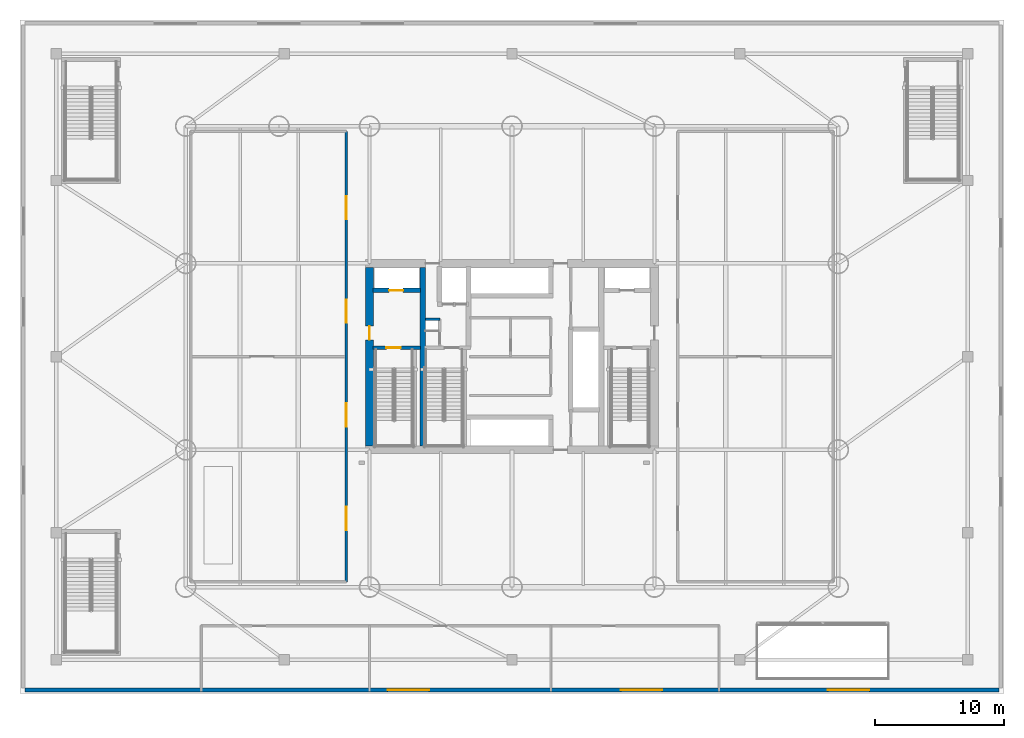
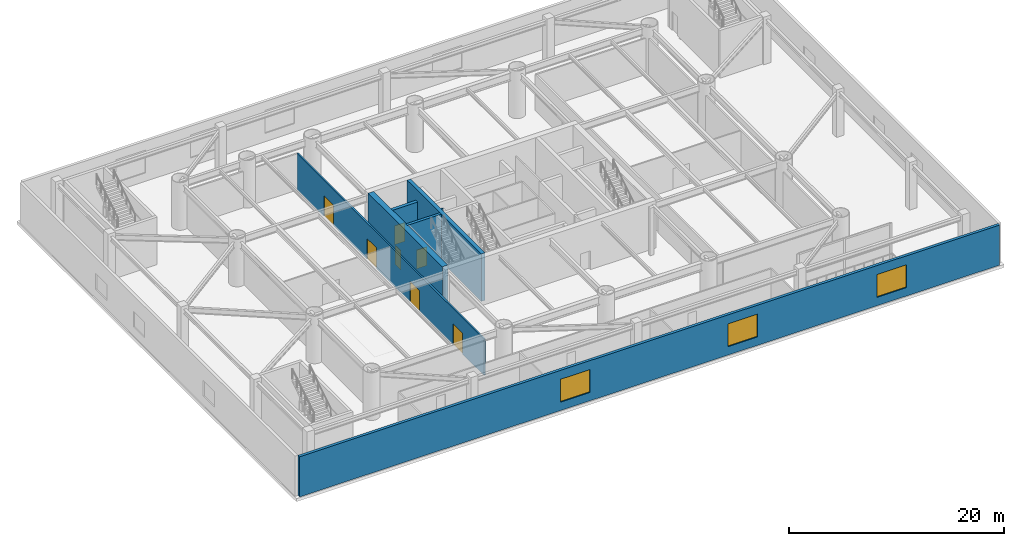
# One storey, part 6 of 16: 7 doors, 7 walls, 3 windows, 10 openings.
"""IFC4 building model written with IfcOpenShell, lengths in metres."""

from ifc_helpers import new_model, si_unit, direction, frame, frame_2d, origin, place, context, subcontext, project, spatial, rectangle, extrude, material, layer, layer_set, type_object, element, fill, save


model = new_model("IFC4")

# Units and contexts
model_context = context("Model", 3, precision=1e-05, world=origin(), true_north=direction((0.0, 1.0)))
body_context = subcontext(model_context, "Body", "Model", "MODEL_VIEW")
ifc_project = project(units=[si_unit("LENGTHUNIT", "METRE"), si_unit("AREAUNIT", "SQUARE_METRE"), si_unit("VOLUMEUNIT", "CUBIC_METRE"), si_unit("PLANEANGLEUNIT", "RADIAN"), si_unit("MASSUNIT", "GRAM", prefix="KILO")], contexts=[model_context])

# Site, building, storey
site_placement = place(None, origin())
site = spatial("IfcSite", under=ifc_project, at=site_placement, CompositionType="ELEMENT")
building_placement = place(site_placement, origin())
building = spatial("IfcBuilding", under=site, at=building_placement, Name="Bramvorn Convention Spire", CompositionType="ELEMENT")
storey_placement = place(building_placement, frame((0.0, 0.0, 6.60009765625)))
storey = spatial("IfcBuildingStorey", under=building, at=storey_placement, Name="L01", CompositionType="ELEMENT", Elevation=6.60009765625)

# Wall, opening, door
ifc_material_1 = material(Name="Concrete C60/70", Category="concrete")
ifc_layer_1 = layer(ifc_material_1, 0.60009765625)
ifc_layer_set_1 = layer_set([ifc_layer_1], Name="Concrete C60/70 - WL-CORE-600")
wall_type_1 = type_object("IfcWallType", Name="WL-CORE-600", PredefinedType="SHEAR", material=ifc_layer_set_1)
wall_1_placement = place(storey_placement, frame((27.0, 19.10009765625, 0.0), z_axis=(0.0, 0.0, 1.0), x_axis=(0.0, 1.0, 0.0)))
wall_1 = element("IfcWall", 1, at=wall_1_placement, inside=storey, type_object=wall_type_1, Name="L01 West RC core shear wall", PredefinedType="SHEAR", context=body_context, shape_type="SweptSolid", body=[
    extrude(rectangle(XDim=13.7998046875, YDim=0.60009765625, at=frame_2d((6.89990234375, 0.0))), origin(), (0.0, 0.0, 1.0), 5.39990234375),
])
opening_1_placement = place(wall_1_placement, frame((8.199951171875, 0.0, 0.0)))
opening_1 = element("IfcOpeningElement", 2, at=opening_1_placement, cuts=wall_1, Name="Opening DL-105", PredefinedType="OPENING", context=body_context, shape_type="SweptSolid", body=[
    extrude(rectangle(XDim=1.050048828125, YDim=2.14990234375, at=frame_2d((0.52490234375, 1.074951171875))), frame((0.0, 0.31005859375, 0.0), z_axis=(0.0, -1.0, 0.0), x_axis=(1.0, 0.0, 0.0)), (0.0, 0.0, 1.0), 0.6201171875),
])
ifc_material_2 = material(Name="Smoke-Sealed Fire Lobby Timber-Core Door", Category="wood")
door_type_1 = type_object("IfcDoorType", Name="DR-LOBBY-1050", OperationType="NOTDEFINED", PredefinedType="DOOR", material=ifc_material_2)
door_1_placement = place(opening_1_placement, origin())
door_1 = element("IfcDoor", 3, at=door_1_placement, inside=storey, type_object=door_type_1, Name="L01 West Firefighting Lobby corridor door", OperationType="SINGLE_SWING_RIGHT", OverallHeight=2.14990234375, OverallWidth=1.050048828125, PredefinedType="DOOR", context=body_context, shape_type="SweptSolid", body=[
    extrude(rectangle(XDim=1.050048828125, YDim=2.14990234375, at=frame_2d((0.52490234375, 1.074951171875))), frame((0.0, 0.02490234375, 0.0), z_axis=(0.0, -1.0, 0.0), x_axis=(1.0, 0.0, 0.0)), (0.0, 0.0, 1.0), 0.050048828125),
])
fill(opening_1, door_1)

ifc_material_3 = material(Name="Concrete C50/60", Category="concrete")
ifc_layer_2 = layer(ifc_material_3, 0.35009765625)
ifc_layer_set_2 = layer_set([ifc_layer_2], Name="Concrete C50/60 - WL-CORE-INT-350")
wall_type_2 = type_object("IfcWallType", Name="WL-CORE-INT-350", PredefinedType="SHEAR", material=ifc_layer_set_2)
wall_2_placement = place(storey_placement, frame((27.25, 31.1201171875, 0.0), z_axis=(0.0, 0.0, 1.0), x_axis=(1.0, 0.0, 0.0)))
wall_2 = element("IfcWall", 4, at=wall_2_placement, inside=storey, type_object=wall_type_2, Name="L01 FE1 shaft front wall", PredefinedType="SHEAR", context=body_context, shape_type="SweptSolid", body=[
    extrude(rectangle(XDim=3.669921875, YDim=0.35009765625, at=frame_2d((1.8349609375, 0.0))), origin(), (0.0, 0.0, 1.0), 4.10986328125),
])
opening_2_placement = place(wall_2_placement, frame((1.25, 0.0, 0.0)))
opening_2 = element("IfcOpeningElement", 5, at=opening_2_placement, cuts=wall_2, Name="Opening LD-110", PredefinedType="OPENING", context=body_context, shape_type="SweptSolid", body=[
    extrude(rectangle(XDim=1.10009765625, YDim=2.14990234375, at=frame_2d((0.550048828125, 1.074951171875))), frame((0.0, 0.18505859375, 0.0), z_axis=(0.0, -1.0, 0.0), x_axis=(1.0, 0.0, 0.0)), (0.0, 0.0, 1.0), 0.3701171875),
])
ifc_material_4 = material(Name="Firefighting & Service Lift Sliding Landing Door", Category="steel")
door_type_2 = type_object("IfcDoorType", Name="DR-LIFT-LD-1100", OperationType="NOTDEFINED", PredefinedType="DOOR", material=ifc_material_4)
door_2_placement = place(opening_2_placement, origin())
door_2 = element("IfcDoor", 6, at=door_2_placement, inside=storey, type_object=door_type_2, Name="L01 Lift FE1 Sliding Landing Door", OperationType="SLIDING_TO_LEFT", OverallHeight=2.14990234375, OverallWidth=1.10009765625, PredefinedType="DOOR", context=body_context, shape_type="SweptSolid", body=[
    extrude(rectangle(XDim=1.10009765625, YDim=2.14990234375, at=frame_2d((0.550048828125, 1.074951171875))), frame((0.0, 0.02490234375, 0.0), z_axis=(0.0, -1.0, 0.0), x_axis=(1.0, 0.0, 0.0)), (0.0, 0.0, 1.0), 0.050048828125),
])
fill(opening_2, door_2)

# Wall
ifc_layer_3 = layer(ifc_material_1, 0.39990234375)
ifc_layer_set_3 = layer_set([ifc_layer_3], Name="Concrete C60/70 - WL-CORE-INT-400")
wall_type_3 = type_object("IfcWallType", Name="WL-CORE-INT-400", PredefinedType="SHEAR", material=ifc_layer_set_3)
wall_3_placement = place(storey_placement, frame((31.10009765625, 19.10009765625, 0.0), z_axis=(0.0, 0.0, 1.0), x_axis=(0.0, 1.0, 0.0)))
element("IfcWall", 7, at=wall_3_placement, inside=storey, type_object=wall_type_3, Name="L01 West internal core shear web", PredefinedType="SHEAR", context=body_context, shape_type="SweptSolid", body=[
    extrude(rectangle(XDim=13.7998046875, YDim=0.39990234375, at=frame_2d((6.89990234375, 0.0))), origin(), (0.0, 0.0, 1.0), 5.39990234375),
])

# Wall, openings, windows
ifc_material_5 = material(Name="Precast Concrete C40/50 with Bronze Terracotta Rainscreen", Category="masonry")
ifc_layer_4 = layer(ifc_material_5, 0.300048828125)
ifc_layer_set_4 = layer_set([ifc_layer_4], Name="Precast Concrete C40/50 with Bronze Terracotta Rainscreen - WL-EXT-BRONZE-300")
wall_type_4 = type_object("IfcWallType", Name="WL-EXT-BRONZE-300", PredefinedType="SOLIDWALL", material=ifc_layer_set_4)
wall_4_placement = place(storey_placement, frame((75.60009765625, 0.25, 0.0), z_axis=(0.0, 0.0, 1.0), x_axis=(-1.0, 0.0, 0.0)))
wall_4 = element("IfcWall", 8, at=wall_4_placement, inside=storey, type_object=wall_type_4, Name="L01 South podium bronze facade wall", PredefinedType="SOLIDWALL", context=body_context, shape_type="SweptSolid", body=[
    extrude(rectangle(XDim=75.2001953125, YDim=0.300048828125, at=frame_2d((37.60009765625, 0.0))), origin(), (0.0, 0.0, 1.0), 4.559814453125),
])
opening_3_placement = place(wall_4_placement, frame((10.0, 0.0, 0.949951171875)))
opening_3 = element("IfcOpeningElement", 9, at=opening_3_placement, cuts=wall_4, Name="Opening WN10", PredefinedType="OPENING", context=body_context, shape_type="SweptSolid", body=[
    extrude(rectangle(XDim=3.199951171875, YDim=2.60009765625, at=frame_2d((1.60009765625, 1.300048828125))), frame((0.0, 0.159912109375, 0.0), z_axis=(0.0, -1.0, 0.0), x_axis=(1.0, 0.0, 0.0)), (0.0, 0.0, 1.0), 0.320068359375),
])
opening_4_placement = place(wall_4_placement, frame((26.0, 0.0, 0.949951171875)))
opening_4 = element("IfcOpeningElement", 10, at=opening_4_placement, cuts=wall_4, Name="Opening WN10", PredefinedType="OPENING", context=body_context, shape_type="SweptSolid", body=[
    extrude(rectangle(XDim=3.199951171875, YDim=2.60009765625, at=frame_2d((1.60009765625, 1.300048828125))), frame((0.0, 0.159912109375, 0.0), z_axis=(0.0, -1.0, 0.0), x_axis=(1.0, 0.0, 0.0)), (0.0, 0.0, 1.0), 0.320068359375),
])
opening_5_placement = place(wall_4_placement, frame((44.0, 0.0, 0.949951171875)))
opening_5 = element("IfcOpeningElement", 11, at=opening_5_placement, cuts=wall_4, Name="Opening WN10", PredefinedType="OPENING", context=body_context, shape_type="SweptSolid", body=[
    extrude(rectangle(XDim=3.199951171875, YDim=2.60009765625, at=frame_2d((1.60009765625, 1.300048828125))), frame((0.0, 0.159912109375, 0.0), z_axis=(0.0, -1.0, 0.0), x_axis=(1.0, 0.0, 0.0)), (0.0, 0.0, 1.0), 0.320068359375),
])
ifc_material_6 = material(Name="Thermally Broken Bronze Aluminium & Triple Low-E Glass", Category="aluminium")
window_type = type_object("IfcWindowType", Name="WN-POD-3200X2600", PartitioningType="SINGLE_PANEL", PredefinedType="WINDOW", material=ifc_material_6)
window_1_placement = place(opening_3_placement, origin())
window_1 = element("IfcWindow", 12, at=window_1_placement, inside=storey, type_object=window_type, Name="L01 South operable convention window 1", OverallHeight=2.60009765625, OverallWidth=3.199951171875, PartitioningType="SINGLE_PANEL", PredefinedType="WINDOW", context=body_context, shape_type="SweptSolid", body=[
    extrude(rectangle(XDim=3.199951171875, YDim=2.60009765625, at=frame_2d((1.60009765625, 1.300048828125))), frame((0.0, 0.030029296875, 0.0), z_axis=(0.0, -1.0, 0.0), x_axis=(1.0, 0.0, 0.0)), (0.0, 0.0, 1.0), 0.06005859375),
])
fill(opening_3, window_1)
window_2_placement = place(opening_4_placement, origin())
window_2 = element("IfcWindow", 13, at=window_2_placement, inside=storey, type_object=window_type, Name="L01 South operable convention window 3", OverallHeight=2.60009765625, OverallWidth=3.199951171875, PartitioningType="SINGLE_PANEL", PredefinedType="WINDOW", context=body_context, shape_type="SweptSolid", body=[
    extrude(rectangle(XDim=3.199951171875, YDim=2.60009765625, at=frame_2d((1.60009765625, 1.300048828125))), frame((0.0, 0.030029296875, 0.0), z_axis=(0.0, -1.0, 0.0), x_axis=(1.0, 0.0, 0.0)), (0.0, 0.0, 1.0), 0.06005859375),
])
fill(opening_4, window_2)
window_3_placement = place(opening_5_placement, origin())
window_3 = element("IfcWindow", 14, at=window_3_placement, inside=storey, type_object=window_type, Name="L01 South operable convention window 4", OverallHeight=2.60009765625, OverallWidth=3.199951171875, PartitioningType="SINGLE_PANEL", PredefinedType="WINDOW", context=body_context, shape_type="SweptSolid", body=[
    extrude(rectangle(XDim=3.199951171875, YDim=2.60009765625, at=frame_2d((1.60009765625, 1.300048828125))), frame((0.0, 0.030029296875, 0.0), z_axis=(0.0, -1.0, 0.0), x_axis=(1.0, 0.0, 0.0)), (0.0, 0.0, 1.0), 0.06005859375),
])
fill(opening_5, window_3)

# Wall, openings, doors
ifc_material_7 = material(Name="Double-Stud Acoustic Hotel/Suite Partition", Category="gypsum")
ifc_layer_5 = layer(ifc_material_7, 0.175048828125)
ifc_layer_set_5 = layer_set([ifc_layer_5], Name="Double-Stud Acoustic Hotel/Suite Partition - WL-PART-175")
wall_type_5 = type_object("IfcWallType", Name="WL-PART-175", PredefinedType="PARTITIONING", material=ifc_layer_set_5)
wall_5_placement = place(storey_placement, frame((25.199951171875, 8.60009765625, 0.0), z_axis=(0.0, 0.0, 1.0), x_axis=(0.0, 1.0, 0.0)))
wall_5 = element("IfcWall", 15, at=wall_5_placement, inside=storey, type_object=wall_type_5, Name="L01 West Exhibition Hall foyer wall", PredefinedType="PARTITIONING", context=body_context, shape_type="SweptSolid", body=[
    extrude(rectangle(XDim=34.7998046875, YDim=0.175048828125, at=frame_2d((17.39990234375, 0.0))), origin(), (0.0, 0.0, 1.0), 4.10986328125),
])
opening_6_placement = place(wall_5_placement, frame((4.0, 0.0, 0.0)))
opening_6 = element("IfcOpeningElement", 16, at=opening_6_placement, cuts=wall_5, Name="Opening DH-180", PredefinedType="OPENING", context=body_context, shape_type="SweptSolid", body=[
    extrude(rectangle(XDim=1.800048828125, YDim=2.35009765625, at=frame_2d((0.89990234375, 1.175048828125))), frame((0.0, 0.097412109375, 0.0), z_axis=(0.0, -1.0, 0.0), x_axis=(1.0, 0.0, 0.0)), (0.0, 0.0, 1.0), 0.195068359375),
])
opening_7_placement = place(wall_5_placement, frame((12.0, 0.0, 0.0)))
opening_7 = element("IfcOpeningElement", 17, at=opening_7_placement, cuts=wall_5, Name="Opening DH-180", PredefinedType="OPENING", context=body_context, shape_type="SweptSolid", body=[
    extrude(rectangle(XDim=1.800048828125, YDim=2.35009765625, at=frame_2d((0.89990234375, 1.175048828125))), frame((0.0, 0.097412109375, 0.0), z_axis=(0.0, -1.0, 0.0), x_axis=(1.0, 0.0, 0.0)), (0.0, 0.0, 1.0), 0.195068359375),
])
opening_8_placement = place(wall_5_placement, frame((20.0, 0.0, 0.0)))
opening_8 = element("IfcOpeningElement", 18, at=opening_8_placement, cuts=wall_5, Name="Opening DH-180", PredefinedType="OPENING", context=body_context, shape_type="SweptSolid", body=[
    extrude(rectangle(XDim=1.800048828125, YDim=2.35009765625, at=frame_2d((0.89990234375, 1.175048828125))), frame((0.0, 0.097412109375, 0.0), z_axis=(0.0, -1.0, 0.0), x_axis=(1.0, 0.0, 0.0)), (0.0, 0.0, 1.0), 0.195068359375),
])
opening_9_placement = place(wall_5_placement, frame((28.0, 0.0, 0.0)))
opening_9 = element("IfcOpeningElement", 19, at=opening_9_placement, cuts=wall_5, Name="Opening DH-180", PredefinedType="OPENING", context=body_context, shape_type="SweptSolid", body=[
    extrude(rectangle(XDim=1.800048828125, YDim=2.35009765625, at=frame_2d((0.89990234375, 1.175048828125))), frame((0.0, 0.097412109375, 0.0), z_axis=(0.0, -1.0, 0.0), x_axis=(1.0, 0.0, 0.0)), (0.0, 0.0, 1.0), 0.195068359375),
])
ifc_material_8 = material(Name="Double-Leaf Acoustic Assembly Hall Door", Category="wood")
door_type_3 = type_object("IfcDoorType", Name="DR-HALL-1800", OperationType="NOTDEFINED", PredefinedType="DOOR", material=ifc_material_8)
door_3_placement = place(opening_6_placement, origin())
door_3 = element("IfcDoor", 20, at=door_3_placement, inside=storey, type_object=door_type_3, Name="L01 West Hall portal 1", OperationType="DOUBLE_DOOR_SINGLE_SWING", OverallHeight=2.35009765625, OverallWidth=1.800048828125, PredefinedType="DOOR", context=body_context, shape_type="SweptSolid", body=[
    extrude(rectangle(XDim=1.800048828125, YDim=2.35009765625, at=frame_2d((0.89990234375, 1.175048828125))), frame((0.0, 0.02490234375, 0.0), z_axis=(0.0, -1.0, 0.0), x_axis=(1.0, 0.0, 0.0)), (0.0, 0.0, 1.0), 0.050048828125),
])
fill(opening_6, door_3)
door_4_placement = place(opening_7_placement, origin())
door_4 = element("IfcDoor", 21, at=door_4_placement, inside=storey, type_object=door_type_3, Name="L01 West Hall portal 2", OperationType="DOUBLE_DOOR_SINGLE_SWING", OverallHeight=2.35009765625, OverallWidth=1.800048828125, PredefinedType="DOOR", context=body_context, shape_type="SweptSolid", body=[
    extrude(rectangle(XDim=1.800048828125, YDim=2.35009765625, at=frame_2d((0.89990234375, 1.175048828125))), frame((0.0, 0.02490234375, 0.0), z_axis=(0.0, -1.0, 0.0), x_axis=(1.0, 0.0, 0.0)), (0.0, 0.0, 1.0), 0.050048828125),
])
fill(opening_7, door_4)
door_5_placement = place(opening_8_placement, origin())
door_5 = element("IfcDoor", 22, at=door_5_placement, inside=storey, type_object=door_type_3, Name="L01 West Hall portal 3", OperationType="DOUBLE_DOOR_SINGLE_SWING", OverallHeight=2.35009765625, OverallWidth=1.800048828125, PredefinedType="DOOR", context=body_context, shape_type="SweptSolid", body=[
    extrude(rectangle(XDim=1.800048828125, YDim=2.35009765625, at=frame_2d((0.89990234375, 1.175048828125))), frame((0.0, 0.02490234375, 0.0), z_axis=(0.0, -1.0, 0.0), x_axis=(1.0, 0.0, 0.0)), (0.0, 0.0, 1.0), 0.050048828125),
])
fill(opening_8, door_5)
door_6_placement = place(opening_9_placement, origin())
door_6 = element("IfcDoor", 23, at=door_6_placement, inside=storey, type_object=door_type_3, Name="L01 West Hall portal 4", OperationType="DOUBLE_DOOR_SINGLE_SWING", OverallHeight=2.35009765625, OverallWidth=1.800048828125, PredefinedType="DOOR", context=body_context, shape_type="SweptSolid", body=[
    extrude(rectangle(XDim=1.800048828125, YDim=2.35009765625, at=frame_2d((0.89990234375, 1.175048828125))), frame((0.0, 0.02490234375, 0.0), z_axis=(0.0, -1.0, 0.0), x_axis=(1.0, 0.0, 0.0)), (0.0, 0.0, 1.0), 0.050048828125),
])
fill(opening_9, door_6)

# Wall
ifc_material_9 = material(Name="Gypsum Shaftwall & Rockwool Core Partition", Category="gypsum")
ifc_layer_6 = layer(ifc_material_9, 0.199951171875)
ifc_layer_set_6 = layer_set([ifc_layer_6], Name="Gypsum Shaftwall & Rockwool Core Partition - WL-PART-200-FR")
wall_type_6 = type_object("IfcWallType", Name="WL-PART-200-FR", PredefinedType="PARTITIONING", material=ifc_layer_set_6)
wall_6_placement = place(storey_placement, frame((31.300048828125, 28.89990234375, 0.0), z_axis=(0.0, 0.0, 1.0), x_axis=(1.0, 0.0, 0.0)))
element("IfcWall", 24, at=wall_6_placement, inside=storey, type_object=wall_type_6, Name="L01 Telecom riser north wall", PredefinedType="PARTITIONING", context=body_context, shape_type="SweptSolid", body=[
    extrude(rectangle(XDim=1.119873046875, YDim=0.199951171875, at=frame_2d((0.56005859375, 0.0))), origin(), (0.0, 0.0, 1.0), 4.10986328125),
])

# Wall, opening, door
ifc_layer_7 = layer(ifc_material_3, 0.300048828125)
ifc_layer_set_7 = layer_set([ifc_layer_7], Name="Concrete C50/60 - WL-POD-STAIR-300")
wall_type_7 = type_object("IfcWallType", Name="WL-POD-STAIR-300", PredefinedType="SHEAR", material=ifc_layer_set_7)
wall_7_placement = place(storey_placement, frame((27.25, 26.68994140625, 0.0), z_axis=(0.0, 0.0, 1.0), x_axis=(1.0, 0.0, 0.0)))
wall_7 = element("IfcWall", 25, at=wall_7_placement, inside=storey, type_object=wall_type_7, Name="L01 ST1 north fire wall", PredefinedType="SHEAR", context=body_context, shape_type="SweptSolid", body=[
    extrude(rectangle(XDim=3.669921875, YDim=0.300048828125, at=frame_2d((1.8349609375, 0.0))), origin(), (0.0, 0.0, 1.0), 5.39990234375),
])
opening_10_placement = place(wall_7_placement, frame((1.050048828125, 0.0, 0.0)))
opening_10 = element("IfcOpeningElement", 26, at=opening_10_placement, cuts=wall_7, Name="Opening DS-110", PredefinedType="OPENING", context=body_context, shape_type="SweptSolid", body=[
    extrude(rectangle(XDim=1.10009765625, YDim=2.14990234375, at=frame_2d((0.550048828125, 1.074951171875))), frame((0.0, 0.159912109375, 0.0), z_axis=(0.0, -1.0, 0.0), x_axis=(1.0, 0.0, 0.0)), (0.0, 0.0, 1.0), 0.320068359375),
])
ifc_material_10 = material(Name="Fire-Rated Hollow Steel Stairwell Door", Category="steel")
door_type_4 = type_object("IfcDoorType", Name="DR-STAIR-1100", OperationType="NOTDEFINED", PredefinedType="DOOR", material=ifc_material_10)
door_7_placement = place(opening_10_placement, origin())
door_7 = element("IfcDoor", 27, at=door_7_placement, inside=storey, type_object=door_type_4, Name="L01 Stair ST1 fire door", OperationType="SINGLE_SWING_LEFT", OverallHeight=2.14990234375, OverallWidth=1.10009765625, PredefinedType="DOOR", context=body_context, shape_type="SweptSolid", body=[
    extrude(rectangle(XDim=1.10009765625, YDim=2.14990234375, at=frame_2d((0.550048828125, 1.074951171875))), frame((0.0, 0.02490234375, 0.0), z_axis=(0.0, -1.0, 0.0), x_axis=(1.0, 0.0, 0.0)), (0.0, 0.0, 1.0), 0.050048828125),
])
fill(opening_10, door_7)

save(model, "model.ifc")
